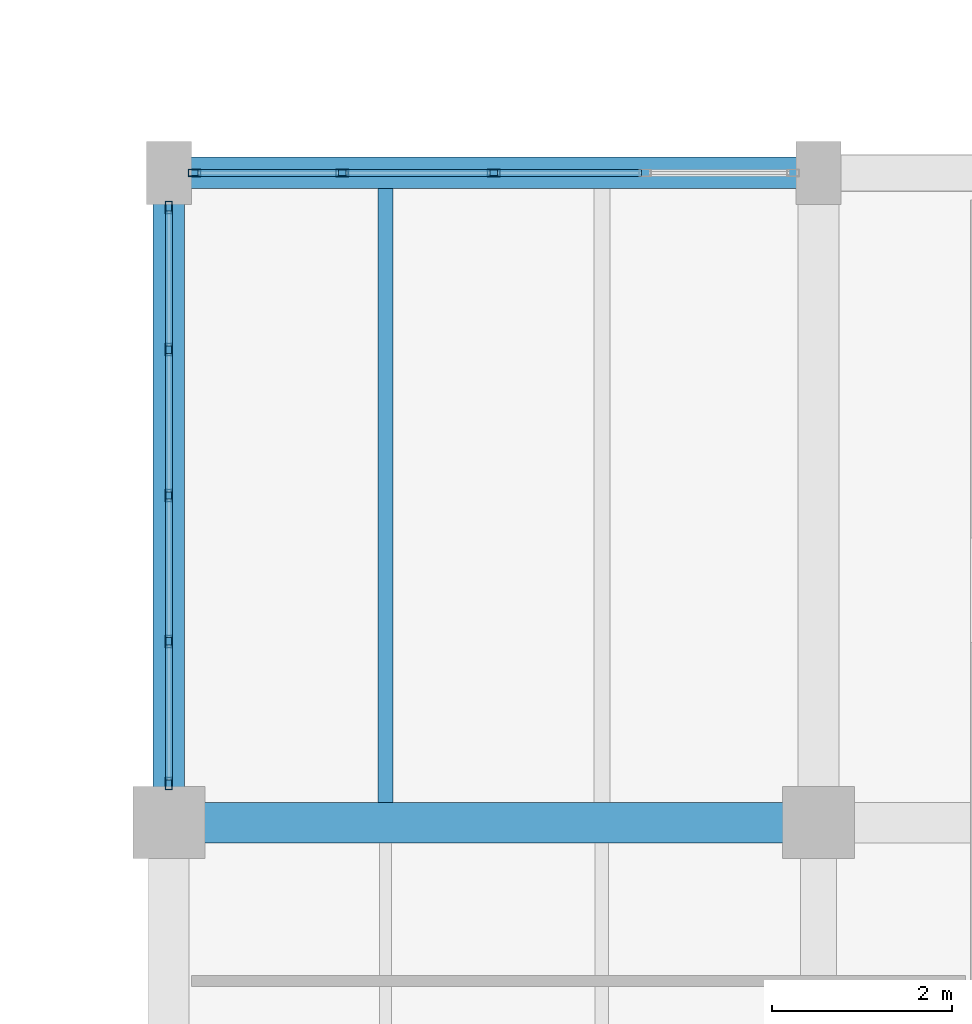
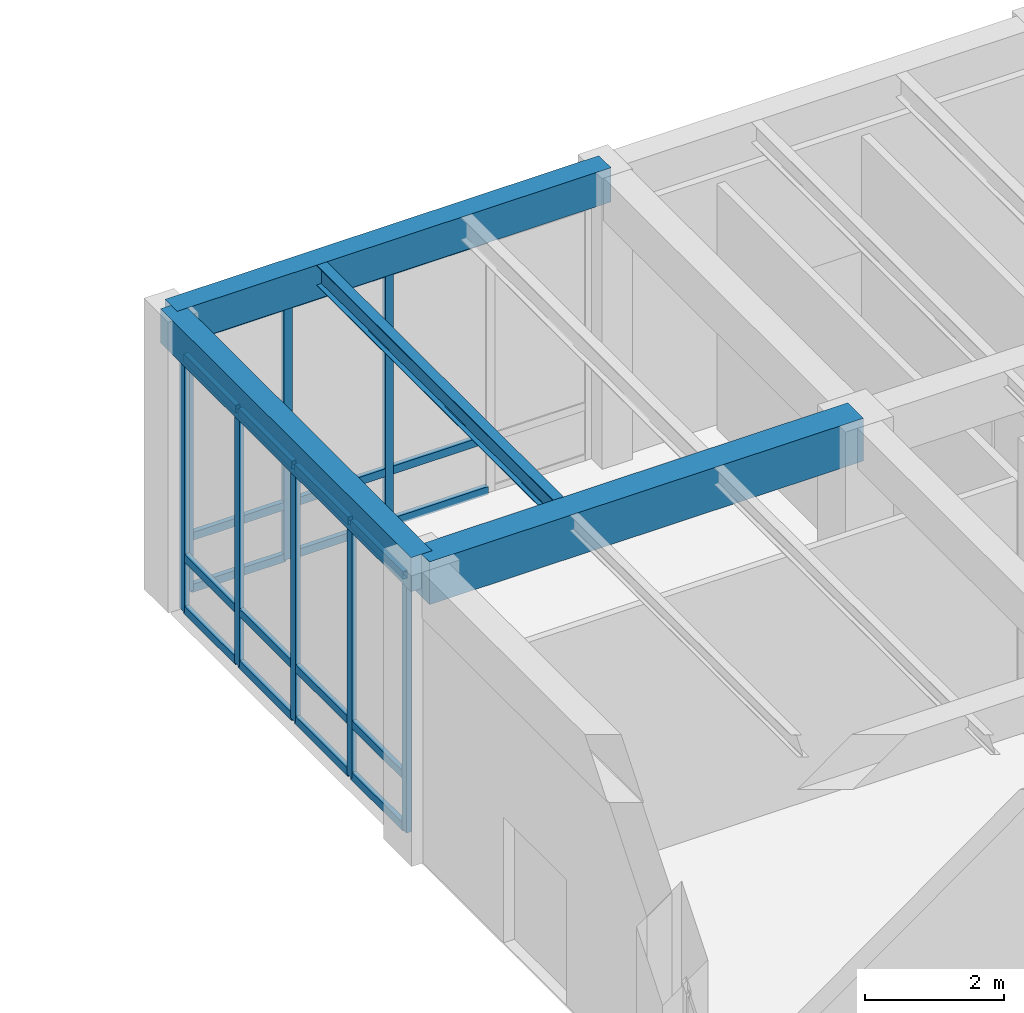
# One storey, part 84 of 169: 29 members, 4 beams, 2 elements without a shape of their own.
"""IFC4 building model written with IfcOpenShell, lengths in metres."""

from ifc_helpers import new_model, si_unit, direction, frame, origin, origin_2d, place, context, subcontext, project, spatial, rectangle, hollow_rectangle, i_section, extrude, material, layer, layer_set, material_profile, profile_set, type_object, element, aggregate, save


model = new_model("IFC4")

# Units and contexts
model_context = context("Model", 3, precision=1e-05, world=origin(), true_north=direction((0.0, 1.0)))
body_context = subcontext(model_context, "Body", "Model", "MODEL_VIEW")
ifc_project = project(units=[si_unit("LENGTHUNIT", "METRE"), si_unit("AREAUNIT", "SQUARE_METRE"), si_unit("VOLUMEUNIT", "CUBIC_METRE"), si_unit("PLANEANGLEUNIT", "RADIAN"), si_unit("MASSUNIT", "GRAM", prefix="KILO")], contexts=[model_context])

# Site, building, storey
site_placement = place(None, origin())
site = spatial("IfcSite", under=ifc_project, at=site_placement, CompositionType="ELEMENT")
building_placement = place(site_placement, origin())
building = spatial("IfcBuilding", under=site, at=building_placement, Name="Mazaris Harbour Polytechnic", CompositionType="ELEMENT")
storey_placement = place(building_placement, origin())
storey = spatial("IfcBuildingStorey", under=building, at=storey_placement, Name="L00", CompositionType="ELEMENT", Elevation=0.0)

# Curtain wall, members
ifc_material_1 = material(Name="Anodised Bronze Aluminium and Low-E Glass", Category="aluminium")
ifc_layer = layer(ifc_material_1, 0.169921875, Name="Anodised Bronze Aluminium and Low-E Glass")
ifc_layer_set = layer_set([ifc_layer], Name="Anodised Bronze Aluminium and Low-E Glass")
curtain_wall_type = type_object("IfcCurtainWallType", Name="Studio North-Light Curtain Wall", PredefinedType="NOTDEFINED", material=ifc_layer_set)
curtain_wall_1_placement = place(storey_placement, origin())
curtain_wall_1 = element("IfcCurtainWall", 1, at=curtain_wall_1_placement, inside=storey, type_object=curtain_wall_type, Name="V5 L00 Curtain Wall 183", PredefinedType="NOTDEFINED")
ifc_material_2 = material(Name="Anodised Bronze Steel S355", Category="steel")
ifc_material_profile_1 = material_profile(ifc_material_2, hollow_rectangle(XDim=0.080078125, YDim=0.139892578125, WallThickness=0.00634765625, at=origin_2d()), Name="RHS 80x140x6.3")
ifc_profile_set_1 = profile_set([ifc_material_profile_1], Name="Anodised Bronze Steel S355")
member_type_1 = type_object("IfcMemberType", Name="Curtain Mullion RHS80x140", PredefinedType="MULLION", material=ifc_profile_set_1)
member_1_placement = place(storey_placement, frame((122.681884765625, 108.0, 0.0), z_axis=(0.0, 0.0, 1.0), x_axis=(0.0, 1.0, 0.0)))
member_1 = element("IfcMember", 2, at=member_1_placement, type_object=member_type_1, Name="CW-03 mullion 1", PredefinedType="MULLION", context=body_context, shape_type="SweptSolid", body=[
    extrude(hollow_rectangle(XDim=0.080078125, YDim=0.139892578125, WallThickness=0.00634765625, at=origin_2d()), origin(), (0.0, 0.0, 1.0), 4.489990234375),
])
member_2_placement = place(storey_placement, frame((124.321044921875, 108.0, 0.0), z_axis=(0.0, 0.0, 1.0), x_axis=(0.0, 1.0, 0.0)))
member_2 = element("IfcMember", 3, at=member_2_placement, type_object=member_type_1, Name="CW-03 mullion 2", PredefinedType="MULLION", context=body_context, shape_type="SweptSolid", body=[
    extrude(hollow_rectangle(XDim=0.080078125, YDim=0.139892578125, WallThickness=0.00634765625, at=origin_2d()), origin(), (0.0, 0.0, 1.0), 4.489990234375),
])
member_3_placement = place(storey_placement, frame((126.0, 108.0, 0.0), z_axis=(0.0, 0.0, 1.0), x_axis=(0.0, 1.0, 0.0)))
member_3 = element("IfcMember", 4, at=member_3_placement, type_object=member_type_1, Name="CW-03 mullion 3", PredefinedType="MULLION", context=body_context, shape_type="SweptSolid", body=[
    extrude(hollow_rectangle(XDim=0.080078125, YDim=0.139892578125, WallThickness=0.00634765625, at=origin_2d()), origin(), (0.0, 0.0, 1.0), 4.489990234375),
])

curtain_wall_2_placement = place(storey_placement, origin())
curtain_wall_2 = element("IfcCurtainWall", 5, at=curtain_wall_2_placement, inside=storey, type_object=curtain_wall_type, Name="V5 L00 Curtain Wall 190", PredefinedType="NOTDEFINED")
member_4_placement = place(storey_placement, frame((122.39990234375, 101.23193359375, 0.0), z_axis=(0.0, 0.0, 1.0), x_axis=(-1.0, 0.0, 0.0)))
member_4 = element("IfcMember", 6, at=member_4_placement, type_object=member_type_1, Name="CW-03 mullion 1", PredefinedType="MULLION", context=body_context, shape_type="SweptSolid", body=[
    extrude(hollow_rectangle(XDim=0.080078125, YDim=0.139892578125, WallThickness=0.00634765625, at=origin_2d()), origin(), (0.0, 0.0, 1.0), 4.489990234375),
])
member_5_placement = place(storey_placement, frame((122.39990234375, 102.80859375, 0.0), z_axis=(0.0, 0.0, 1.0), x_axis=(-1.0, 0.0, 0.0)))
member_5 = element("IfcMember", 7, at=member_5_placement, type_object=member_type_1, Name="CW-03 mullion 2", PredefinedType="MULLION", context=body_context, shape_type="SweptSolid", body=[
    extrude(hollow_rectangle(XDim=0.080078125, YDim=0.139892578125, WallThickness=0.00634765625, at=origin_2d()), origin(), (0.0, 0.0, 1.0), 4.489990234375),
])
member_6_placement = place(storey_placement, frame((122.39990234375, 104.425048828125, 0.0), z_axis=(0.0, 0.0, 1.0), x_axis=(-1.0, 0.0, 0.0)))
member_6 = element("IfcMember", 8, at=member_6_placement, type_object=member_type_1, Name="CW-03 mullion 3", PredefinedType="MULLION", context=body_context, shape_type="SweptSolid", body=[
    extrude(hollow_rectangle(XDim=0.080078125, YDim=0.139892578125, WallThickness=0.00634765625, at=origin_2d()), origin(), (0.0, 0.0, 1.0), 4.489990234375),
])
member_7_placement = place(storey_placement, frame((122.39990234375, 106.04150390625, 0.0), z_axis=(0.0, 0.0, 1.0), x_axis=(-1.0, 0.0, 0.0)))
member_7 = element("IfcMember", 9, at=member_7_placement, type_object=member_type_1, Name="CW-03 mullion 4", PredefinedType="MULLION", context=body_context, shape_type="SweptSolid", body=[
    extrude(hollow_rectangle(XDim=0.080078125, YDim=0.139892578125, WallThickness=0.00634765625, at=origin_2d()), origin(), (0.0, 0.0, 1.0), 4.489990234375),
])
member_8_placement = place(storey_placement, frame((122.39990234375, 107.617919921875, 0.0), z_axis=(0.0, 0.0, 1.0), x_axis=(-1.0, 0.0, 0.0)))
member_8 = element("IfcMember", 10, at=member_8_placement, type_object=member_type_1, Name="CW-03 mullion 5", PredefinedType="MULLION", context=body_context, shape_type="SweptSolid", body=[
    extrude(hollow_rectangle(XDim=0.080078125, YDim=0.139892578125, WallThickness=0.00634765625, at=origin_2d()), origin(), (0.0, 0.0, 1.0), 4.489990234375),
])

# Member
ifc_material_3 = material(Name="Anodised Bronze Steel S355", Category="steel")
ifc_material_profile_2 = material_profile(ifc_material_3, hollow_rectangle(XDim=0.080078125, YDim=0.139892578125, WallThickness=0.00634765625, at=origin_2d()), Name="RHS 80x140x6.3")
ifc_profile_set_2 = profile_set([ifc_material_profile_2], Name="Anodised Bronze Steel S355")
member_type_2 = type_object("IfcMemberType", Name="Curtain Transom RHS80x140", PredefinedType="USERDEFINED", material=ifc_profile_set_2)
member_9_placement = place(storey_placement, frame((122.721923828125, 108.0, 0.0400390625), z_axis=(1.0, 0.0, 0.0), x_axis=(0.0, 1.0, 0.0)))
member_9 = element("IfcMember", 11, at=member_9_placement, type_object=member_type_2, Name="CW-03 transom 1.1", ObjectType="TRANSOM", PredefinedType="USERDEFINED", context=body_context, shape_type="SweptSolid", body=[
    extrude(hollow_rectangle(XDim=0.080078125, YDim=0.139892578125, WallThickness=0.00634765625, at=origin_2d()), origin(), (0.0, 0.0, 1.0), 1.55908203125),
])

member_10_placement = place(storey_placement, frame((122.721923828125, 108.0, 0.949951171875), z_axis=(1.0, 0.0, 0.0), x_axis=(0.0, 1.0, 0.0)))
member_10 = element("IfcMember", 12, at=member_10_placement, type_object=member_type_2, Name="CW-03 transom 1.2", ObjectType="TRANSOM", PredefinedType="USERDEFINED", context=body_context, shape_type="SweptSolid", body=[
    extrude(hollow_rectangle(XDim=0.080078125, YDim=0.139892578125, WallThickness=0.00634765625, at=origin_2d()), origin(), (0.0, 0.0, 1.0), 1.55908203125),
])

member_11_placement = place(storey_placement, frame((122.721923828125, 108.0, 4.449951171875), z_axis=(1.0, 0.0, 0.0), x_axis=(0.0, 1.0, 0.0)))
member_11 = element("IfcMember", 13, at=member_11_placement, type_object=member_type_2, Name="CW-03 transom 1.3", ObjectType="TRANSOM", PredefinedType="USERDEFINED", context=body_context, shape_type="SweptSolid", body=[
    extrude(hollow_rectangle(XDim=0.080078125, YDim=0.139892578125, WallThickness=0.00634765625, at=origin_2d()), origin(), (0.0, 0.0, 1.0), 1.55908203125),
])

member_12_placement = place(storey_placement, frame((124.361083984375, 108.0, 0.0400390625), z_axis=(1.0, 0.0, 0.0), x_axis=(0.0, 1.0, 0.0)))
member_12 = element("IfcMember", 14, at=member_12_placement, type_object=member_type_2, Name="CW-03 transom 2.1", ObjectType="TRANSOM", PredefinedType="USERDEFINED", context=body_context, shape_type="SweptSolid", body=[
    extrude(hollow_rectangle(XDim=0.080078125, YDim=0.139892578125, WallThickness=0.00634765625, at=origin_2d()), origin(), (0.0, 0.0, 1.0), 1.598876953125),
])

member_13_placement = place(storey_placement, frame((124.361083984375, 108.0, 0.949951171875), z_axis=(1.0, 0.0, 0.0), x_axis=(0.0, 1.0, 0.0)))
member_13 = element("IfcMember", 15, at=member_13_placement, type_object=member_type_2, Name="CW-03 transom 2.2", ObjectType="TRANSOM", PredefinedType="USERDEFINED", context=body_context, shape_type="SweptSolid", body=[
    extrude(hollow_rectangle(XDim=0.080078125, YDim=0.139892578125, WallThickness=0.00634765625, at=origin_2d()), origin(), (0.0, 0.0, 1.0), 1.598876953125),
])

member_14_placement = place(storey_placement, frame((124.361083984375, 108.0, 4.449951171875), z_axis=(1.0, 0.0, 0.0), x_axis=(0.0, 1.0, 0.0)))
member_14 = element("IfcMember", 16, at=member_14_placement, type_object=member_type_2, Name="CW-03 transom 2.3", ObjectType="TRANSOM", PredefinedType="USERDEFINED", context=body_context, shape_type="SweptSolid", body=[
    extrude(hollow_rectangle(XDim=0.080078125, YDim=0.139892578125, WallThickness=0.00634765625, at=origin_2d()), origin(), (0.0, 0.0, 1.0), 1.598876953125),
])

member_15_placement = place(storey_placement, frame((126.0400390625, 108.0, 0.0400390625), z_axis=(1.0, 0.0, 0.0), x_axis=(0.0, 1.0, 0.0)))
member_15 = element("IfcMember", 17, at=member_15_placement, type_object=member_type_2, Name="CW-03 transom 3.1", ObjectType="TRANSOM", PredefinedType="USERDEFINED", context=body_context, shape_type="SweptSolid", body=[
    extrude(hollow_rectangle(XDim=0.080078125, YDim=0.139892578125, WallThickness=0.00634765625, at=origin_2d()), origin(), (0.0, 0.0, 1.0), 1.598876953125),
])

member_16_placement = place(storey_placement, frame((126.0400390625, 108.0, 0.949951171875), z_axis=(1.0, 0.0, 0.0), x_axis=(0.0, 1.0, 0.0)))
member_16 = element("IfcMember", 18, at=member_16_placement, type_object=member_type_2, Name="CW-03 transom 3.2", ObjectType="TRANSOM", PredefinedType="USERDEFINED", context=body_context, shape_type="SweptSolid", body=[
    extrude(hollow_rectangle(XDim=0.080078125, YDim=0.139892578125, WallThickness=0.00634765625, at=origin_2d()), origin(), (0.0, 0.0, 1.0), 1.598876953125),
])

member_17_placement = place(storey_placement, frame((126.0400390625, 108.0, 4.449951171875), z_axis=(1.0, 0.0, 0.0), x_axis=(0.0, 1.0, 0.0)))
member_17 = element("IfcMember", 19, at=member_17_placement, type_object=member_type_2, Name="CW-03 transom 3.3", ObjectType="TRANSOM", PredefinedType="USERDEFINED", context=body_context, shape_type="SweptSolid", body=[
    extrude(hollow_rectangle(XDim=0.080078125, YDim=0.139892578125, WallThickness=0.00634765625, at=origin_2d()), origin(), (0.0, 0.0, 1.0), 1.598876953125),
])

aggregate(curtain_wall_1, [member_1, member_2, member_3, member_9, member_10, member_11, member_12, member_13, member_14, member_15, member_16, member_17])

member_18_placement = place(storey_placement, frame((122.39990234375, 101.27197265625, 0.0400390625), z_axis=(0.0, 1.0, 0.0), x_axis=(-1.0, 0.0, 0.0)))
member_18 = element("IfcMember", 20, at=member_18_placement, type_object=member_type_2, Name="CW-03 transom 1.1", ObjectType="TRANSOM", PredefinedType="USERDEFINED", context=body_context, shape_type="SweptSolid", body=[
    extrude(hollow_rectangle(XDim=0.080078125, YDim=0.139892578125, WallThickness=0.00634765625, at=origin_2d()), origin(), (0.0, 0.0, 1.0), 1.49658203125),
])

member_19_placement = place(storey_placement, frame((122.39990234375, 101.27197265625, 0.949951171875), z_axis=(0.0, 1.0, 0.0), x_axis=(-1.0, 0.0, 0.0)))
member_19 = element("IfcMember", 21, at=member_19_placement, type_object=member_type_2, Name="CW-03 transom 1.2", ObjectType="TRANSOM", PredefinedType="USERDEFINED", context=body_context, shape_type="SweptSolid", body=[
    extrude(hollow_rectangle(XDim=0.080078125, YDim=0.139892578125, WallThickness=0.00634765625, at=origin_2d()), origin(), (0.0, 0.0, 1.0), 1.49658203125),
])

member_20_placement = place(storey_placement, frame((122.39990234375, 101.27197265625, 4.449951171875), z_axis=(0.0, 1.0, 0.0), x_axis=(-1.0, 0.0, 0.0)))
member_20 = element("IfcMember", 22, at=member_20_placement, type_object=member_type_2, Name="CW-03 transom 1.3", ObjectType="TRANSOM", PredefinedType="USERDEFINED", context=body_context, shape_type="SweptSolid", body=[
    extrude(hollow_rectangle(XDim=0.080078125, YDim=0.139892578125, WallThickness=0.00634765625, at=origin_2d()), origin(), (0.0, 0.0, 1.0), 1.49658203125),
])

member_21_placement = place(storey_placement, frame((122.39990234375, 102.848388671875, 0.0400390625), z_axis=(0.0, 1.0, 0.0), x_axis=(-1.0, 0.0, 0.0)))
member_21 = element("IfcMember", 23, at=member_21_placement, type_object=member_type_2, Name="CW-03 transom 2.1", ObjectType="TRANSOM", PredefinedType="USERDEFINED", context=body_context, shape_type="SweptSolid", body=[
    extrude(hollow_rectangle(XDim=0.080078125, YDim=0.139892578125, WallThickness=0.00634765625, at=origin_2d()), origin(), (0.0, 0.0, 1.0), 1.53662109375),
])

member_22_placement = place(storey_placement, frame((122.39990234375, 102.848388671875, 0.949951171875), z_axis=(0.0, 1.0, 0.0), x_axis=(-1.0, 0.0, 0.0)))
member_22 = element("IfcMember", 24, at=member_22_placement, type_object=member_type_2, Name="CW-03 transom 2.2", ObjectType="TRANSOM", PredefinedType="USERDEFINED", context=body_context, shape_type="SweptSolid", body=[
    extrude(hollow_rectangle(XDim=0.080078125, YDim=0.139892578125, WallThickness=0.00634765625, at=origin_2d()), origin(), (0.0, 0.0, 1.0), 1.53662109375),
])

member_23_placement = place(storey_placement, frame((122.39990234375, 102.848388671875, 4.449951171875), z_axis=(0.0, 1.0, 0.0), x_axis=(-1.0, 0.0, 0.0)))
member_23 = element("IfcMember", 25, at=member_23_placement, type_object=member_type_2, Name="CW-03 transom 2.3", ObjectType="TRANSOM", PredefinedType="USERDEFINED", context=body_context, shape_type="SweptSolid", body=[
    extrude(hollow_rectangle(XDim=0.080078125, YDim=0.139892578125, WallThickness=0.00634765625, at=origin_2d()), origin(), (0.0, 0.0, 1.0), 1.53662109375),
])

member_24_placement = place(storey_placement, frame((122.39990234375, 104.465087890625, 0.0400390625), z_axis=(0.0, 1.0, 0.0), x_axis=(-1.0, 0.0, 0.0)))
member_24 = element("IfcMember", 26, at=member_24_placement, type_object=member_type_2, Name="CW-03 transom 3.1", ObjectType="TRANSOM", PredefinedType="USERDEFINED", context=body_context, shape_type="SweptSolid", body=[
    extrude(hollow_rectangle(XDim=0.080078125, YDim=0.139892578125, WallThickness=0.00634765625, at=origin_2d()), origin(), (0.0, 0.0, 1.0), 1.536376953125),
])

member_25_placement = place(storey_placement, frame((122.39990234375, 104.465087890625, 0.949951171875), z_axis=(0.0, 1.0, 0.0), x_axis=(-1.0, 0.0, 0.0)))
member_25 = element("IfcMember", 27, at=member_25_placement, type_object=member_type_2, Name="CW-03 transom 3.2", ObjectType="TRANSOM", PredefinedType="USERDEFINED", context=body_context, shape_type="SweptSolid", body=[
    extrude(hollow_rectangle(XDim=0.080078125, YDim=0.139892578125, WallThickness=0.00634765625, at=origin_2d()), origin(), (0.0, 0.0, 1.0), 1.536376953125),
])

member_26_placement = place(storey_placement, frame((122.39990234375, 104.465087890625, 4.449951171875), z_axis=(0.0, 1.0, 0.0), x_axis=(-1.0, 0.0, 0.0)))
member_26 = element("IfcMember", 28, at=member_26_placement, type_object=member_type_2, Name="CW-03 transom 3.3", ObjectType="TRANSOM", PredefinedType="USERDEFINED", context=body_context, shape_type="SweptSolid", body=[
    extrude(hollow_rectangle(XDim=0.080078125, YDim=0.139892578125, WallThickness=0.00634765625, at=origin_2d()), origin(), (0.0, 0.0, 1.0), 1.536376953125),
])

member_27_placement = place(storey_placement, frame((122.39990234375, 106.08154296875, 0.0400390625), z_axis=(0.0, 1.0, 0.0), x_axis=(-1.0, 0.0, 0.0)))
member_27 = element("IfcMember", 29, at=member_27_placement, type_object=member_type_2, Name="CW-03 transom 4.1", ObjectType="TRANSOM", PredefinedType="USERDEFINED", context=body_context, shape_type="SweptSolid", body=[
    extrude(hollow_rectangle(XDim=0.080078125, YDim=0.139892578125, WallThickness=0.00634765625, at=origin_2d()), origin(), (0.0, 0.0, 1.0), 1.496337890625),
])

member_28_placement = place(storey_placement, frame((122.39990234375, 106.08154296875, 0.949951171875), z_axis=(0.0, 1.0, 0.0), x_axis=(-1.0, 0.0, 0.0)))
member_28 = element("IfcMember", 30, at=member_28_placement, type_object=member_type_2, Name="CW-03 transom 4.2", ObjectType="TRANSOM", PredefinedType="USERDEFINED", context=body_context, shape_type="SweptSolid", body=[
    extrude(hollow_rectangle(XDim=0.080078125, YDim=0.139892578125, WallThickness=0.00634765625, at=origin_2d()), origin(), (0.0, 0.0, 1.0), 1.496337890625),
])

member_29_placement = place(storey_placement, frame((122.39990234375, 106.08154296875, 4.449951171875), z_axis=(0.0, 1.0, 0.0), x_axis=(-1.0, 0.0, 0.0)))
member_29 = element("IfcMember", 31, at=member_29_placement, type_object=member_type_2, Name="CW-03 transom 4.3", ObjectType="TRANSOM", PredefinedType="USERDEFINED", context=body_context, shape_type="SweptSolid", body=[
    extrude(hollow_rectangle(XDim=0.080078125, YDim=0.139892578125, WallThickness=0.00634765625, at=origin_2d()), origin(), (0.0, 0.0, 1.0), 1.496337890625),
])

aggregate(curtain_wall_2, [member_4, member_5, member_6, member_7, member_8, member_18, member_19, member_20, member_21, member_22, member_23, member_24, member_25, member_26, member_27, member_28, member_29])

# Beams
ifc_material_4 = material(Name="Concrete C35/45", Category="concrete")
ifc_material_profile_3 = material_profile(ifc_material_4, rectangle(XDim=0.35009765625, YDim=0.60009765625, at=origin_2d()), Name="RECT350x600")
ifc_profile_set_3 = profile_set([ifc_material_profile_3], Name="Concrete C35/45")
beam_type_1 = type_object("IfcBeamType", Name="RC Girder 350x600 Exterior", PredefinedType="BEAM", material=ifc_profile_set_3)
beam_1_placement = place(storey_placement, frame((122.39990234375, 108.0, 4.800048828125), z_axis=(1.0, 0.0, 0.0), x_axis=(0.0, 1.0, 0.0)))
element("IfcBeam", 32, at=beam_1_placement, inside=storey, type_object=beam_type_1, Name="V5 L00 Girder 2750", PredefinedType="BEAM", context=body_context, shape_type="SweptSolid", body=[
    extrude(rectangle(XDim=0.35009765625, YDim=0.60009765625, at=origin_2d()), origin(), (0.0, 0.0, 1.0), 7.2001953125),
])
beam_2_placement = place(storey_placement, frame((122.39990234375, 100.800048828125, 4.800048828125), z_axis=(0.0, 1.0, 0.0), x_axis=(-1.0, 0.0, 0.0)))
element("IfcBeam", 33, at=beam_2_placement, inside=storey, type_object=beam_type_1, Name="V5 L00 Tie Girder 2765", PredefinedType="BEAM", context=body_context, shape_type="SweptSolid", body=[
    extrude(rectangle(XDim=0.35009765625, YDim=0.60009765625, at=origin_2d()), origin(), (0.0, 0.0, 1.0), 7.199951171875),
])
ifc_material_5 = material(Name="Concrete C40/50", Category="concrete")
ifc_material_profile_4 = material_profile(ifc_material_5, rectangle(XDim=0.449951171875, YDim=0.75, at=origin_2d()), Name="RECT450x750")
ifc_profile_set_4 = profile_set([ifc_material_profile_4], Name="Concrete C40/50")
beam_type_2 = type_object("IfcBeamType", Name="RC Girder 450x750", PredefinedType="BEAM", material=ifc_profile_set_4)
beam_3_placement = place(storey_placement, frame((122.39990234375, 100.800048828125, 4.72509765625), z_axis=(1.0, 0.0, 0.0), x_axis=(0.0, 1.0, 0.0)))
element("IfcBeam", 34, at=beam_3_placement, inside=storey, type_object=beam_type_2, Name="V5 L00 Girder 2743", PredefinedType="BEAM", context=body_context, shape_type="SweptSolid", body=[
    extrude(rectangle(XDim=0.449951171875, YDim=0.75, at=origin_2d()), origin(), (0.0, 0.0, 1.0), 7.2001953125),
])
ifc_material_6 = material(Name="Steel S355", Category="steel")
ifc_material_profile_5 = material_profile(ifc_material_6, i_section(OverallWidth=0.169921875, OverallDepth=0.360107421875, WebThickness=0.008056640625, FlangeThickness=0.0126953125, FilletRadius=0.01806640625, at=origin_2d()), Name="IPE 360")
ifc_profile_set_5 = profile_set([ifc_material_profile_5], Name="Steel S355")
beam_type_3 = type_object("IfcBeamType", Name="Steel Joist IPE360", PredefinedType="JOIST", material=ifc_profile_set_5)
beam_4_placement = place(storey_placement, frame((124.800048828125, 101.02490234375, 4.919921875), z_axis=(0.0, 1.0, 0.0), x_axis=(-1.0, 0.0, 0.0)))
element("IfcBeam", 35, at=beam_4_placement, inside=storey, type_object=beam_type_3, Name="V5 L00 Floor Joist 2832", PredefinedType="JOIST", context=body_context, shape_type="SweptSolid", body=[
    extrude(i_section(OverallWidth=0.169921875, OverallDepth=0.360107421875, WebThickness=0.008056640625, FlangeThickness=0.0126953125, FilletRadius=0.01806640625, at=origin_2d()), origin(), (0.0, 0.0, 1.0), 6.800048828125),
])

save(model, "model.ifc")
